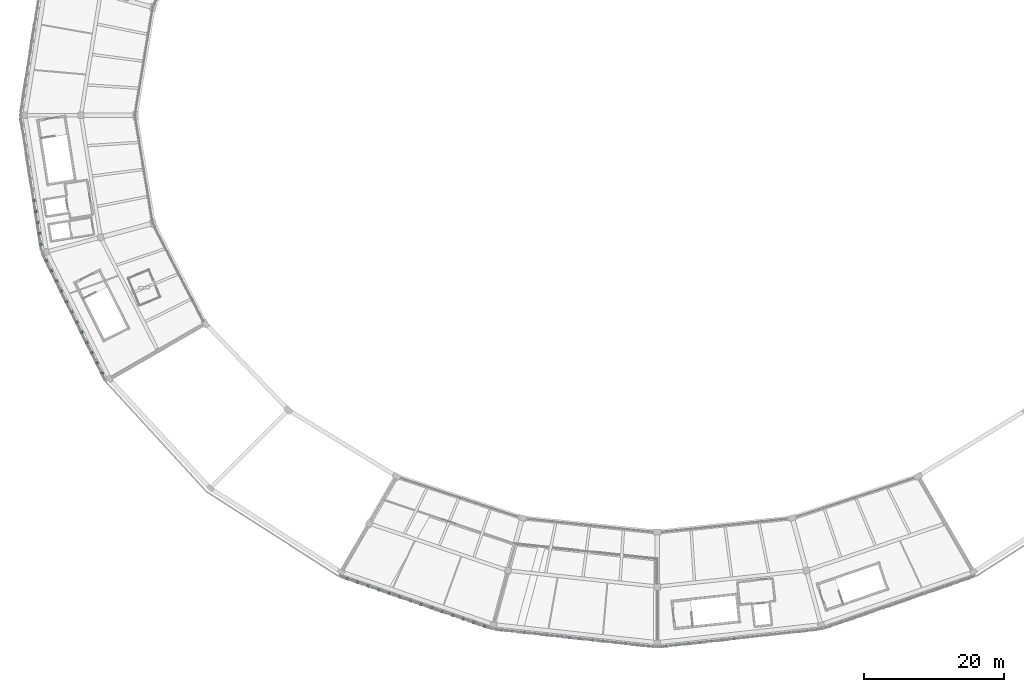
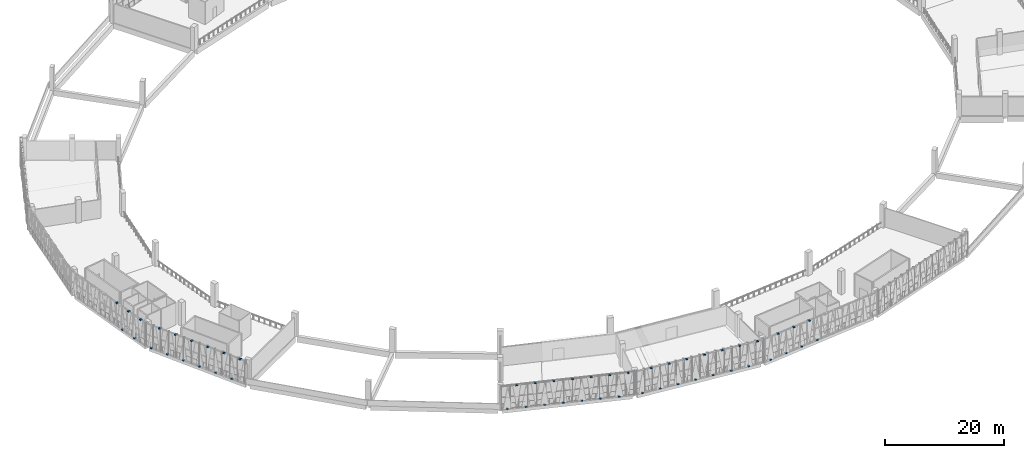
# One storey, part 50 of 64: 52 discrete accessories.
"""IFC4 building model written with IfcOpenShell, lengths in metres."""

from ifc_helpers import new_model, si_unit, direction, frame, origin, origin_2d, place, context, subcontext, project, spatial, rectangle, extrude, material, layer, layer_set, type_object, element, save


model = new_model("IFC4")

# Units and contexts
model_context = context("Model", 3, precision=1e-05, world=origin(), true_north=direction((0.0, 1.0)))
body_context = subcontext(model_context, "Body", "Model", "MODEL_VIEW")
ifc_project = project(units=[si_unit("LENGTHUNIT", "METRE"), si_unit("AREAUNIT", "SQUARE_METRE"), si_unit("VOLUMEUNIT", "CUBIC_METRE"), si_unit("PLANEANGLEUNIT", "RADIAN"), si_unit("MASSUNIT", "GRAM", prefix="KILO")], contexts=[model_context])

# Site, building, storey
site_placement = place(None, origin())
site = spatial("IfcSite", under=ifc_project, at=site_placement, CompositionType="ELEMENT")
building_placement = place(site_placement, origin())
building = spatial("IfcBuilding", under=site, at=building_placement, Name="Zevraka Park Crest Stadium", CompositionType="ELEMENT")
storey_placement = place(building_placement, frame((0.0, 0.0, 24.60009765625)))
storey = spatial("IfcBuildingStorey", under=building, at=storey_placement, Name="L05", CompositionType="ELEMENT", Elevation=24.60009765625)

# Discrete accessories
ifc_material = material(Name="Galvanised steel bracketry", Category="steel")
ifc_layer = layer(ifc_material, 0.1201171875)
ifc_layer_set = layer_set([ifc_layer], Name="Galvanised steel bracketry")
discrete_accessory_type = type_object("IfcDiscreteAccessoryType", Name="BRK01", PredefinedType="BRACKET", material=ifc_layer_set)
for number, where, z_axis, x_axis, name in (
    (1, (22.97998046875, 79.825927734375, 4.47998046875), (0.0, 0.0, 1.0), (0.155744890433, -0.987797311752, 0.0), "Bronze Screen Carrier Bracket BRK01 L05-12-8"),
    (2, (23.22607421875, 78.260986328125, -0.16015625), (0.0, 0.0, 1.0), (0.155744890433, -0.987797311752, 0.0), "Bronze Screen Carrier Bracket BRK01 L05-12-9"),
    (3, (23.472900390625, 76.696044921875, 4.47998046875), (0.0, 0.0, 1.0), (0.155744890433, -0.987797311752, 0.0), "Bronze Screen Carrier Bracket BRK01 L05-12-10"),
    (4, (23.719970703125, 75.131103515625, -0.16015625), (0.0, 0.0, 1.0), (0.155744890433, -0.987797311752, 0.0), "Bronze Screen Carrier Bracket BRK01 L05-12-11"),
    (5, (23.967041015625, 73.56591796875, 4.47998046875), (0.0, 0.0, 1.0), (0.155744890433, -0.987797311752, 0.0), "Bronze Screen Carrier Bracket BRK01 L05-12-12"),
    (6, (24.717041015625, 71.22412109375, -0.16015625), (0.0, 0.0, 1.0), (0.444322489715, -0.895866912623, 0.0), "Bronze Screen Carrier Bracket BRK01 L05-13-1"),
    (7, (25.44091796875, 69.762939453125, 4.47998046875), (0.0, 0.0, 1.0), (0.444322489715, -0.895866912623, 0.0), "Bronze Screen Carrier Bracket BRK01 L05-13-2"),
    (8, (26.166015625, 68.302978515625, -0.16015625), (0.0, 0.0, 1.0), (0.444322489715, -0.895866912623, 0.0), "Bronze Screen Carrier Bracket BRK01 L05-13-3"),
    (9, (26.889892578125, 66.843017578125, 4.47998046875), (0.0, 0.0, 1.0), (0.444322489715, -0.895866912623, 0.0), "Bronze Screen Carrier Bracket BRK01 L05-13-4"),
    (10, (27.614013671875, 65.382080078125, -0.16015625), (0.0, 0.0, 1.0), (0.444322489715, -0.895866912623, 0.0), "Bronze Screen Carrier Bracket BRK01 L05-13-5"),
    (11, (28.337890625, 63.922119140625, 4.47998046875), (0.0, 0.0, 1.0), (0.444322489715, -0.895866912623, 0.0), "Bronze Screen Carrier Bracket BRK01 L05-13-6"),
    (12, (29.06298828125, 62.4619140625, -0.16015625), (0.0, 0.0, 1.0), (0.444322489715, -0.895866912623, 0.0), "Bronze Screen Carrier Bracket BRK01 L05-13-7"),
    (13, (29.787109375, 61.001953125, 4.47998046875), (0.0, 0.0, 1.0), (0.444322489715, -0.895866912623, 0.0), "Bronze Screen Carrier Bracket BRK01 L05-13-8"),
    (14, (30.510986328125, 59.541015625, -0.16015625), (0.0, 0.0, 1.0), (0.444322489715, -0.895866912623, 0.0), "Bronze Screen Carrier Bracket BRK01 L05-13-9"),
    (15, (31.235107421875, 58.0810546875, 4.47998046875), (0.0, 0.0, 1.0), (0.444322489715, -0.895866912623, 0.0), "Bronze Screen Carrier Bracket BRK01 L05-13-10"),
    (16, (31.9599609375, 56.62109375, -0.16015625), (0.0, 0.0, 1.0), (0.444322489715, -0.895866912623, 0.0), "Bronze Screen Carrier Bracket BRK01 L05-13-11"),
    (17, (32.68408203125, 55.159912109375, 4.47998046875), (0.0, 0.0, 1.0), (0.444322489715, -0.895866912623, 0.0), "Bronze Screen Carrier Bracket BRK01 L05-13-12"),
    (18, (67.698974609375, 25.8310546875, -0.16015625), (0.0, 0.0, 1.0), (0.94506307518, -0.326888029655, 0.0), "Bronze Screen Carrier Bracket BRK01 L05-16-1"),
    (19, (69.2060546875, 25.31005859375, 4.47998046875), (0.0, 0.0, 1.0), (0.94506307518, -0.326888029655, 0.0), "Bronze Screen Carrier Bracket BRK01 L05-16-2"),
    (20, (70.7119140625, 24.7890625, -0.16015625), (0.0, 0.0, 1.0), (0.94506307518, -0.326888029655, 0.0), "Bronze Screen Carrier Bracket BRK01 L05-16-3"),
    (21, (72.218994140625, 24.26708984375, 4.47998046875), (0.0, 0.0, 1.0), (0.94506307518, -0.326888029655, 0.0), "Bronze Screen Carrier Bracket BRK01 L05-16-4"),
    (22, (73.72607421875, 23.74609375, -0.16015625), (0.0, 0.0, 1.0), (0.94506307518, -0.326888029655, 0.0), "Bronze Screen Carrier Bracket BRK01 L05-16-5"),
    (23, (75.23291015625, 23.22509765625, 4.47998046875), (0.0, 0.0, 1.0), (0.94506307518, -0.326888029655, 0.0), "Bronze Screen Carrier Bracket BRK01 L05-16-6"),
    (24, (76.739990234375, 22.7041015625, -0.16015625), (0.0, 0.0, 1.0), (0.94506307518, -0.326888029655, 0.0), "Bronze Screen Carrier Bracket BRK01 L05-16-7"),
    (25, (78.2470703125, 22.181884765625, 4.47998046875), (0.0, 0.0, 1.0), (0.94506307518, -0.326888029655, 0.0), "Bronze Screen Carrier Bracket BRK01 L05-16-8"),
    (26, (79.75390625, 21.660888671875, -0.16015625), (0.0, 0.0, 1.0), (0.94506307518, -0.326888029655, 0.0), "Bronze Screen Carrier Bracket BRK01 L05-16-9"),
    (27, (81.260986328125, 21.139892578125, 4.47998046875), (0.0, 0.0, 1.0), (0.94506307518, -0.326888029655, 0.0), "Bronze Screen Carrier Bracket BRK01 L05-16-10"),
    (28, (82.76806640625, 20.618896484375, -0.16015625), (0.0, 0.0, 1.0), (0.94506307518, -0.326888029655, 0.0), "Bronze Screen Carrier Bracket BRK01 L05-16-11"),
    (29, (84.27490234375, 20.096923828125, 4.47998046875), (0.0, 0.0, 1.0), (0.94506307518, -0.326888029655, 0.0), "Bronze Screen Carrier Bracket BRK01 L05-16-12"),
    (30, (85.781005859375, 19.575927734375, -0.16015625), (0.0, 0.0, 1.0), (0.94506307518, -0.326888029655, 0.0), "Bronze Screen Carrier Bracket BRK01 L05-16-13"),
    (31, (87.2880859375, 19.054931640625, 4.47998046875), (0.0, 0.0, 1.0), (0.94506307518, -0.326888029655, 0.0), "Bronze Screen Carrier Bracket BRK01 L05-16-14"),
    (32, (89.7109375, 18.511962890625, -0.16015625), (0.0, 0.0, 1.0), (0.993999199399, -0.109387346587, 0.0), "Bronze Screen Carrier Bracket BRK01 L05-17-1"),
    (33, (91.3291015625, 18.333984375, 4.47998046875), (0.0, 0.0, 1.0), (0.993999199399, -0.109387346587, 0.0), "Bronze Screen Carrier Bracket BRK01 L05-17-2"),
    (34, (92.947021484375, 18.156005859375, -0.16015625), (0.0, 0.0, 1.0), (0.993999199399, -0.109387346587, 0.0), "Bronze Screen Carrier Bracket BRK01 L05-17-3"),
    (35, (94.56591796875, 17.97802734375, 4.47998046875), (0.0, 0.0, 1.0), (0.993999199399, -0.109387346587, 0.0), "Bronze Screen Carrier Bracket BRK01 L05-17-4"),
    (36, (96.18408203125, 17.800048828125, -0.16015625), (0.0, 0.0, 1.0), (0.993999199399, -0.109387346587, 0.0), "Bronze Screen Carrier Bracket BRK01 L05-17-5"),
    (37, (97.802978515625, 17.6220703125, 4.47998046875), (0.0, 0.0, 1.0), (0.993999199399, -0.109387346587, 0.0), "Bronze Screen Carrier Bracket BRK01 L05-17-6"),
    (38, (99.4208984375, 17.444091796875, -0.16015625), (0.0, 0.0, 1.0), (0.993999199399, -0.109387346587, 0.0), "Bronze Screen Carrier Bracket BRK01 L05-17-7"),
    (39, (101.0400390625, 17.26611328125, 4.47998046875), (0.0, 0.0, 1.0), (0.993999199399, -0.109387346587, 0.0), "Bronze Screen Carrier Bracket BRK01 L05-17-8"),
    (40, (102.657958984375, 17.087890625, -0.16015625), (0.0, 0.0, 1.0), (0.993999199399, -0.109387346587, 0.0), "Bronze Screen Carrier Bracket BRK01 L05-17-9"),
    (41, (104.277099609375, 16.909912109375, 4.47998046875), (0.0, 0.0, 1.0), (0.993999199399, -0.109387346587, 0.0), "Bronze Screen Carrier Bracket BRK01 L05-17-10"),
    (42, (105.89501953125, 16.73193359375, -0.16015625), (0.0, 0.0, 1.0), (0.993999199399, -0.109387346587, 0.0), "Bronze Screen Carrier Bracket BRK01 L05-17-11"),
    (43, (107.513916015625, 16.553955078125, 4.47998046875), (0.0, 0.0, 1.0), (0.993999199399, -0.109387346587, 0.0), "Bronze Screen Carrier Bracket BRK01 L05-17-12"),
    (44, (109.132080078125, 16.3759765625, -0.16015625), (0.0, 0.0, 1.0), (0.993999199399, -0.109387346587, 0.0), "Bronze Screen Carrier Bracket BRK01 L05-17-13"),
    (45, (110.75, 16.197998046875, 4.47998046875), (0.0, 0.0, 1.0), (0.993999199399, -0.109387346587, 0.0), "Bronze Screen Carrier Bracket BRK01 L05-17-14"),
    (46, (113.25, 16.197998046875, -0.16015625), (0.0, 0.0, 1.0), (0.993999199399, 0.109387346587, 0.0), "Bronze Screen Carrier Bracket BRK01 L05-18-1"),
    (47, (114.867919921875, 16.3759765625, 4.47998046875), (0.0, 0.0, 1.0), (0.993999199399, 0.109387346587, 0.0), "Bronze Screen Carrier Bracket BRK01 L05-18-2"),
    (48, (116.486083984375, 16.553955078125, -0.16015625), (0.0, 0.0, 1.0), (0.993999199399, 0.109387346587, 0.0), "Bronze Screen Carrier Bracket BRK01 L05-18-3"),
    (49, (118.10498046875, 16.73193359375, 4.47998046875), (0.0, 0.0, 1.0), (0.993999199399, 0.109387346587, 0.0), "Bronze Screen Carrier Bracket BRK01 L05-18-4"),
    (50, (119.722900390625, 16.909912109375, -0.16015625), (0.0, 0.0, 1.0), (0.993999199399, 0.109387346587, 0.0), "Bronze Screen Carrier Bracket BRK01 L05-18-5"),
    (51, (121.342041015625, 17.087890625, 4.47998046875), (0.0, 0.0, 1.0), (0.993999199399, 0.109387346587, 0.0), "Bronze Screen Carrier Bracket BRK01 L05-18-6"),
    (52, (122.9599609375, 17.26611328125, -0.16015625), (0.0, 0.0, 1.0), (0.993999199399, 0.109387346587, 0.0), "Bronze Screen Carrier Bracket BRK01 L05-18-7"),
):
    element("IfcDiscreteAccessory", number, at=place(storey_placement, frame(where, z_axis=z_axis, x_axis=x_axis)), inside=storey, type_object=discrete_accessory_type, Name=name, PredefinedType="BRACKET", context=body_context, shape_type="SweptSolid", body=[
        extrude(rectangle(XDim=0.320068359375, YDim=0.360107421875, at=origin_2d()), origin(), (0.0, 0.0, 1.0), 0.159912109375),
    ])

save(model, "model.ifc")
